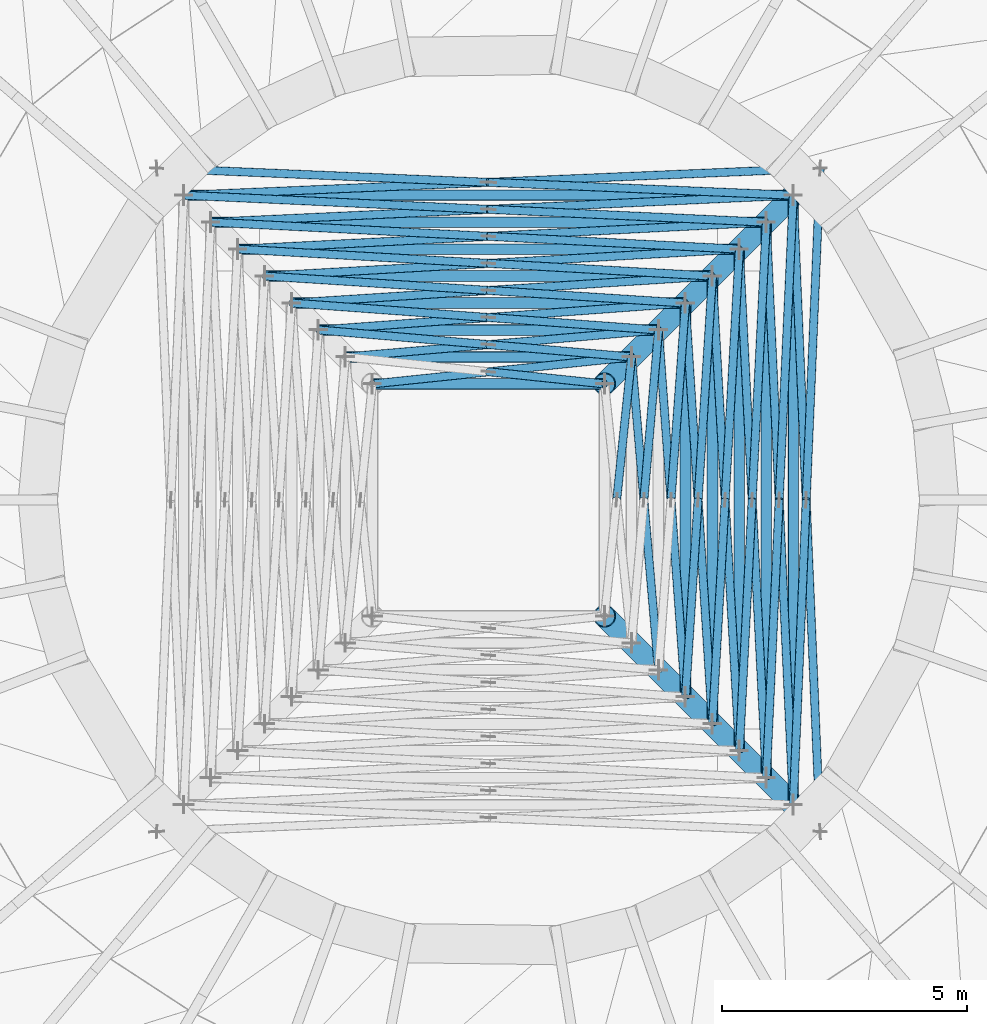
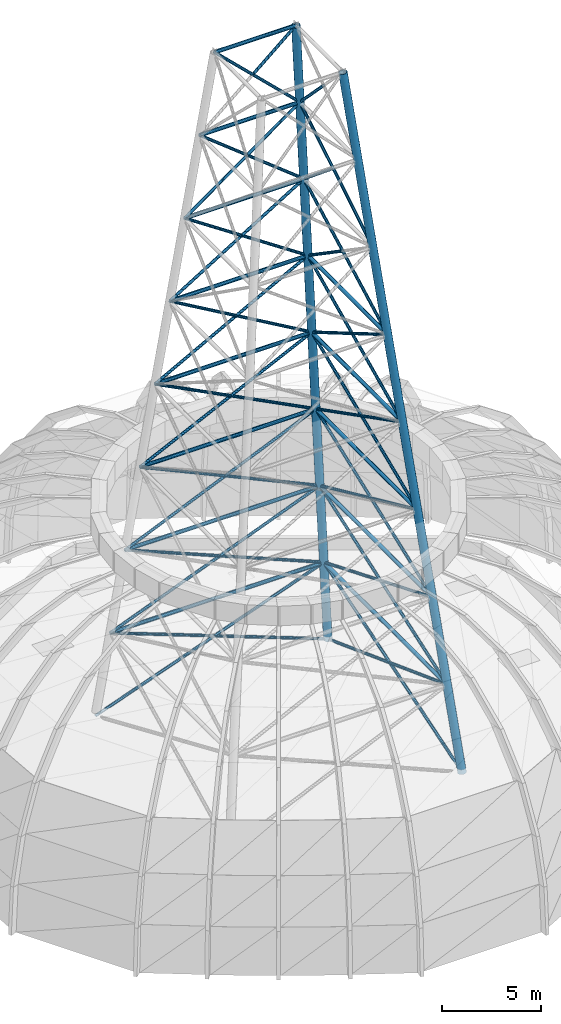
# One storey, part 2 of 27: 58 members.
"""IFC4 building model written with IfcOpenShell, lengths in metres."""

from ifc_helpers import new_model, si_unit, direction, frame, origin, origin_2d, place, context, subcontext, project, spatial, hollow_circle, extrude, material, material_profile, profile_set, type_object, element, save


model = new_model("IFC4")

# Units and contexts
model_context = context("Model", 3, precision=1e-05, world=origin(), true_north=direction((0.0, 1.0)))
body_context = subcontext(model_context, "Body", "Model", "MODEL_VIEW")
ifc_project = project(units=[si_unit("LENGTHUNIT", "METRE"), si_unit("AREAUNIT", "SQUARE_METRE"), si_unit("VOLUMEUNIT", "CUBIC_METRE"), si_unit("PLANEANGLEUNIT", "RADIAN"), si_unit("MASSUNIT", "GRAM", prefix="KILO")], contexts=[model_context])

# Site, building, storey
site_placement = place(None, origin())
site = spatial("IfcSite", under=ifc_project, at=site_placement, CompositionType="ELEMENT")
building_placement = place(site_placement, origin())
building = spatial("IfcBuilding", under=site, at=building_placement, Name="Ayvan Gate Tower", CompositionType="ELEMENT")
storey_placement = place(building_placement, frame((0.0, 0.0, 267.699951171875)))
storey = spatial("IfcBuildingStorey", under=building, at=storey_placement, Name="Roof", CompositionType="ELEMENT", Elevation=267.699951171875)

# Members
ifc_material = material(Name="Steel S460NH", Category="steel")
ifc_material_profile_1 = material_profile(ifc_material, hollow_circle(Radius=0.084228515625, WallThickness=0.008056640625, at=origin_2d()), Name="CHS 168.3x8")
ifc_profile_set_1 = profile_set([ifc_material_profile_1], Name="Steel S460NH")
member_type_1 = type_object("IfcMemberType", Name="Lattice mast brace CHS 168.3x8", PredefinedType="BRACE", material=ifc_profile_set_1)
member_1_placement = place(storey_placement, frame((6.771484375, 6.771484375, 0.0), z_axis=(-0.926454470034, -0.039239136673, 0.37435598714), x_axis=(0.04231615291, -0.999104270436, 0.0)))
element("IfcMember", 1, at=member_1_placement, inside=storey, type_object=member_type_1, Name="MAST-BRACE-1-1A", PredefinedType="BRACE", context=body_context, shape_type="SweptSolid", body=[
    extrude(hollow_circle(Radius=0.084228515625, WallThickness=0.008056640625, at=origin_2d()), origin(), (0.0, 0.0, 1.0), 14.024169921875),
])
member_2_placement = place(storey_placement, frame((-6.771484375, 6.771484375, 0.0), z_axis=(0.926453522401, -0.039224711647, 0.374359844036), x_axis=(0.042300667747, 0.999104926175, 0.0)))
element("IfcMember", 2, at=member_2_placement, inside=storey, type_object=member_type_1, Name="MAST-BRACE-1-1B", PredefinedType="BRACE", context=body_context, shape_type="SweptSolid", body=[
    extrude(hollow_circle(Radius=0.084228515625, WallThickness=0.008056640625, at=origin_2d()), origin(), (0.0, 0.0, 1.0), 7.28857421875),
])
member_3_placement = place(storey_placement, frame((0.01904296875, 6.48388671875, 2.743896484375), z_axis=(0.926455573145, -0.039240521048, 0.374353112043), x_axis=(0.042317592874, 0.999104209446, 0.0)))
element("IfcMember", 3, at=member_3_placement, inside=storey, type_object=member_type_1, Name="MAST-BRACE-1-1C", PredefinedType="BRACE", context=body_context, shape_type="SweptSolid", body=[
    extrude(hollow_circle(Radius=0.084228515625, WallThickness=0.008056640625, at=origin_2d()), origin(), (0.0, 0.0, 1.0), 6.694580078125),
])
member_4_placement = place(storey_placement, frame((6.771484375, -6.771484375, 0.0), z_axis=(-0.039239136673, 0.926454470034, 0.37435598714), x_axis=(-0.999104270436, -0.04231615291, 0.0)))
element("IfcMember", 4, at=member_4_placement, inside=storey, type_object=member_type_1, Name="MAST-BRACE-1-4A", PredefinedType="BRACE", context=body_context, shape_type="SweptSolid", body=[
    extrude(hollow_circle(Radius=0.084228515625, WallThickness=0.008056640625, at=origin_2d()), origin(), (0.0, 0.0, 1.0), 14.024169921875),
])
member_5_placement = place(storey_placement, frame((6.771484375, 6.771484375, 0.0), z_axis=(-0.039224711647, -0.926453522401, 0.374359844036), x_axis=(0.999104926175, -0.042300667747, 0.0)))
element("IfcMember", 5, at=member_5_placement, inside=storey, type_object=member_type_1, Name="MAST-BRACE-1-4B", PredefinedType="BRACE", context=body_context, shape_type="SweptSolid", body=[
    extrude(hollow_circle(Radius=0.084228515625, WallThickness=0.008056640625, at=origin_2d()), origin(), (0.0, 0.0, 1.0), 7.28857421875),
])
member_6_placement = place(storey_placement, frame((6.48388671875, -0.01904296875, 2.743896484375), z_axis=(-0.039240521048, -0.926455573145, 0.374353112043), x_axis=(0.999104209446, -0.042317592874, 0.0)))
element("IfcMember", 6, at=member_6_placement, inside=storey, type_object=member_type_1, Name="MAST-BRACE-1-4C", PredefinedType="BRACE", context=body_context, shape_type="SweptSolid", body=[
    extrude(hollow_circle(Radius=0.084228515625, WallThickness=0.008056640625, at=origin_2d()), origin(), (0.0, 0.0, 1.0), 6.694580078125),
])
member_7_placement = place(storey_placement, frame((6.22119140625, 6.22119140625, 5.25), z_axis=(-0.914003863114, -0.042274859962, 0.403496932365), x_axis=(0.046202992284, -0.998932071516, 0.0)))
element("IfcMember", 7, at=member_7_placement, inside=storey, type_object=member_type_1, Name="MAST-BRACE-2-1A", PredefinedType="BRACE", context=body_context, shape_type="SweptSolid", body=[
    extrude(hollow_circle(Radius=0.084228515625, WallThickness=0.008056640625, at=origin_2d()), origin(), (0.0, 0.0, 1.0), 13.01123046875),
])
member_8_placement = place(storey_placement, frame((-6.22119140625, 6.22119140625, 5.25), z_axis=(0.914007349896, -0.042264573902, 0.403490111563), x_axis=(0.046191598607, 0.998932598436, 0.0)))
element("IfcMember", 8, at=member_8_placement, inside=storey, type_object=member_type_1, Name="MAST-BRACE-2-1B", PredefinedType="BRACE", context=body_context, shape_type="SweptSolid", body=[
    extrude(hollow_circle(Radius=0.084228515625, WallThickness=0.008056640625, at=origin_2d()), origin(), (0.0, 0.0, 1.0), 6.793212890625),
])
member_9_placement = place(storey_placement, frame((0.01220703125, 5.932861328125, 8.001953125), z_axis=(0.914013026326, -0.042271968774, 0.403476478078), x_axis=(0.046199377019, 0.998932238724, 0.0)))
element("IfcMember", 9, at=member_9_placement, inside=storey, type_object=member_type_1, Name="MAST-BRACE-2-1C", PredefinedType="BRACE", context=body_context, shape_type="SweptSolid", body=[
    extrude(hollow_circle(Radius=0.084228515625, WallThickness=0.008056640625, at=origin_2d()), origin(), (0.0, 0.0, 1.0), 6.19140625),
])
member_10_placement = place(storey_placement, frame((6.22119140625, -6.22119140625, 5.25), z_axis=(-0.042274859962, 0.914003863114, 0.403496932365), x_axis=(-0.998932071516, -0.046202992284, 0.0)))
element("IfcMember", 10, at=member_10_placement, inside=storey, type_object=member_type_1, Name="MAST-BRACE-2-4A", PredefinedType="BRACE", context=body_context, shape_type="SweptSolid", body=[
    extrude(hollow_circle(Radius=0.084228515625, WallThickness=0.008056640625, at=origin_2d()), origin(), (0.0, 0.0, 1.0), 13.01123046875),
])
member_11_placement = place(storey_placement, frame((6.22119140625, 6.22119140625, 5.25), z_axis=(-0.042264573902, -0.914007349896, 0.403490111563), x_axis=(0.998932598436, -0.046191598607, 0.0)))
element("IfcMember", 11, at=member_11_placement, inside=storey, type_object=member_type_1, Name="MAST-BRACE-2-4B", PredefinedType="BRACE", context=body_context, shape_type="SweptSolid", body=[
    extrude(hollow_circle(Radius=0.084228515625, WallThickness=0.008056640625, at=origin_2d()), origin(), (0.0, 0.0, 1.0), 6.793212890625),
])
member_12_placement = place(storey_placement, frame((5.932861328125, -0.01220703125, 8.001953125), z_axis=(-0.042271968774, -0.914013026326, 0.403476478078), x_axis=(0.998932238724, -0.046199377019, 0.0)))
element("IfcMember", 12, at=member_12_placement, inside=storey, type_object=member_type_1, Name="MAST-BRACE-2-4C", PredefinedType="BRACE", context=body_context, shape_type="SweptSolid", body=[
    extrude(hollow_circle(Radius=0.084228515625, WallThickness=0.008056640625, at=origin_2d()), origin(), (0.0, 0.0, 1.0), 6.19140625),
])
member_13_placement = place(storey_placement, frame((5.671142578125, 5.671142578125, 10.5), z_axis=(-0.898296440877, -0.045804908554, 0.436995897761), x_axis=(0.050924699696, -0.998702495722, 0.0)))
element("IfcMember", 13, at=member_13_placement, inside=storey, type_object=member_type_1, Name="MAST-BRACE-3-1A", PredefinedType="BRACE", context=body_context, shape_type="SweptSolid", body=[
    extrude(hollow_circle(Radius=0.084228515625, WallThickness=0.008056640625, at=origin_2d()), origin(), (0.0, 0.0, 1.0), 12.013916015625),
])
member_14_placement = place(storey_placement, frame((-5.671142578125, 5.671142578125, 10.5), z_axis=(0.898290421127, -0.04579519794, 0.437009289554), x_axis=(0.050914271984, 0.998703027385, 0.0)))
element("IfcMember", 14, at=member_14_placement, inside=storey, type_object=member_type_1, Name="MAST-BRACE-3-1B", PredefinedType="BRACE", context=body_context, shape_type="SweptSolid", body=[
    extrude(hollow_circle(Radius=0.084228515625, WallThickness=0.008056640625, at=origin_2d()), origin(), (0.0, 0.0, 1.0), 6.306640625),
])
member_15_placement = place(storey_placement, frame((0.005859375, 5.381591796875, 13.26171875), z_axis=(0.898298180913, -0.045791726276, 0.436993702442), x_axis=(0.050909983615, 0.998703245999, 0.0)))
element("IfcMember", 15, at=member_15_placement, inside=storey, type_object=member_type_1, Name="MAST-BRACE-3-1C", PredefinedType="BRACE", context=body_context, shape_type="SweptSolid", body=[
    extrude(hollow_circle(Radius=0.084228515625, WallThickness=0.008056640625, at=origin_2d()), origin(), (0.0, 0.0, 1.0), 5.694091796875),
])
member_16_placement = place(storey_placement, frame((5.671142578125, -5.671142578125, 10.5), z_axis=(-0.045804908554, 0.898296440877, 0.436995897761), x_axis=(-0.998702495722, -0.050924699696, 0.0)))
element("IfcMember", 16, at=member_16_placement, inside=storey, type_object=member_type_1, Name="MAST-BRACE-3-4A", PredefinedType="BRACE", context=body_context, shape_type="SweptSolid", body=[
    extrude(hollow_circle(Radius=0.084228515625, WallThickness=0.008056640625, at=origin_2d()), origin(), (0.0, 0.0, 1.0), 12.013916015625),
])
member_17_placement = place(storey_placement, frame((5.671142578125, 5.671142578125, 10.5), z_axis=(-0.04579519794, -0.898290421127, 0.437009289554), x_axis=(0.998703027385, -0.050914271984, 0.0)))
element("IfcMember", 17, at=member_17_placement, inside=storey, type_object=member_type_1, Name="MAST-BRACE-3-4B", PredefinedType="BRACE", context=body_context, shape_type="SweptSolid", body=[
    extrude(hollow_circle(Radius=0.084228515625, WallThickness=0.008056640625, at=origin_2d()), origin(), (0.0, 0.0, 1.0), 6.306640625),
])
member_18_placement = place(storey_placement, frame((5.381591796875, -0.005859375, 13.26171875), z_axis=(-0.045791726276, -0.898298180913, 0.436993702442), x_axis=(0.998703245999, -0.050909983615, 0.0)))
element("IfcMember", 18, at=member_18_placement, inside=storey, type_object=member_type_1, Name="MAST-BRACE-3-4C", PredefinedType="BRACE", context=body_context, shape_type="SweptSolid", body=[
    extrude(hollow_circle(Radius=0.084228515625, WallThickness=0.008056640625, at=origin_2d()), origin(), (0.0, 0.0, 1.0), 5.694091796875),
])
member_19_placement = place(storey_placement, frame((5.120849609375, 5.120849609375, 15.75), z_axis=(-0.878185624988, -0.049841353581, 0.475716141767), x_axis=(0.056663731518, -0.998393320055, 0.0)))
element("IfcMember", 19, at=member_19_placement, inside=storey, type_object=member_type_1, Name="MAST-BRACE-4-1A", PredefinedType="BRACE", context=body_context, shape_type="SweptSolid", body=[
    extrude(hollow_circle(Radius=0.084228515625, WallThickness=0.008056640625, at=origin_2d()), origin(), (0.0, 0.0, 1.0), 11.035888671875),
])
member_20_placement = place(storey_placement, frame((-5.120849609375, 5.120849609375, 15.75), z_axis=(0.878180845126, -0.049825269653, 0.475726650249), x_axis=(0.056645812002, 0.998394336914, 0.0)))
element("IfcMember", 20, at=member_20_placement, inside=storey, type_object=member_type_1, Name="MAST-BRACE-4-1B", PredefinedType="BRACE", context=body_context, shape_type="SweptSolid", body=[
    extrude(hollow_circle(Radius=0.084228515625, WallThickness=0.008056640625, at=origin_2d()), origin(), (0.0, 0.0, 1.0), 5.830810546875),
])
member_21_placement = place(storey_placement, frame((0.000244140625, 4.830322265625, 18.524169921875), z_axis=(0.87818911207, -0.049864591963, 0.475707269137), x_axis=(0.056689841548, 0.99839183784, 0.0)))
element("IfcMember", 21, at=member_21_placement, inside=storey, type_object=member_type_1, Name="MAST-BRACE-4-1C", PredefinedType="BRACE", context=body_context, shape_type="SweptSolid", body=[
    extrude(hollow_circle(Radius=0.084228515625, WallThickness=0.008056640625, at=origin_2d()), origin(), (0.0, 0.0, 1.0), 5.20458984375),
])
member_22_placement = place(storey_placement, frame((5.120849609375, -5.120849609375, 15.75), z_axis=(-0.049841353581, 0.878185624988, 0.475716141767), x_axis=(-0.998393320055, -0.056663731518, 0.0)))
element("IfcMember", 22, at=member_22_placement, inside=storey, type_object=member_type_1, Name="MAST-BRACE-4-4A", PredefinedType="BRACE", context=body_context, shape_type="SweptSolid", body=[
    extrude(hollow_circle(Radius=0.084228515625, WallThickness=0.008056640625, at=origin_2d()), origin(), (0.0, 0.0, 1.0), 11.035888671875),
])
member_23_placement = place(storey_placement, frame((5.120849609375, 5.120849609375, 15.75), z_axis=(-0.049825269653, -0.878180845126, 0.475726650249), x_axis=(0.998394336914, -0.056645812002, 0.0)))
element("IfcMember", 23, at=member_23_placement, inside=storey, type_object=member_type_1, Name="MAST-BRACE-4-4B", PredefinedType="BRACE", context=body_context, shape_type="SweptSolid", body=[
    extrude(hollow_circle(Radius=0.084228515625, WallThickness=0.008056640625, at=origin_2d()), origin(), (0.0, 0.0, 1.0), 5.830810546875),
])
member_24_placement = place(storey_placement, frame((4.830322265625, -0.000244140625, 18.524169921875), z_axis=(-0.049864591963, -0.87818911207, 0.475707269137), x_axis=(0.99839183784, -0.056689841548, 0.0)))
element("IfcMember", 24, at=member_24_placement, inside=storey, type_object=member_type_1, Name="MAST-BRACE-4-4C", PredefinedType="BRACE", context=body_context, shape_type="SweptSolid", body=[
    extrude(hollow_circle(Radius=0.084228515625, WallThickness=0.008056640625, at=origin_2d()), origin(), (0.0, 0.0, 1.0), 5.20458984375),
])
member_25_placement = place(storey_placement, frame((4.57080078125, 4.57080078125, 21.0), z_axis=(-0.85202099009, -0.054573893483, 0.520655281924), x_axis=(0.063921296988, -0.997954942766, 0.0)))
element("IfcMember", 25, at=member_25_placement, inside=storey, type_object=member_type_1, Name="MAST-BRACE-5-1A", PredefinedType="BRACE", context=body_context, shape_type="SweptSolid", body=[
    extrude(hollow_circle(Radius=0.084228515625, WallThickness=0.008056640625, at=origin_2d()), origin(), (0.0, 0.0, 1.0), 10.08349609375),
])
member_26_placement = place(storey_placement, frame((-4.57080078125, 4.57080078125, 21.0), z_axis=(0.852015131193, -0.05456501134, 0.520665800448), x_axis=(0.0639113737, 0.997955578326, 0.0)))
element("IfcMember", 26, at=member_26_placement, inside=storey, type_object=member_type_1, Name="MAST-BRACE-5-1B", PredefinedType="BRACE", context=body_context, shape_type="SweptSolid", body=[
    extrude(hollow_circle(Radius=0.084228515625, WallThickness=0.008056640625, at=origin_2d()), origin(), (0.0, 0.0, 1.0), 5.36474609375),
])
member_27_placement = place(storey_placement, frame((0.0, 4.278076171875, 23.793212890625), z_axis=(0.85202765077, -0.054583991472, 0.520643323397), x_axis=(0.063932578468, 0.997954220098, 0.0)))
element("IfcMember", 27, at=member_27_placement, inside=storey, type_object=member_type_1, Name="MAST-BRACE-5-1C", PredefinedType="BRACE", context=body_context, shape_type="SweptSolid", body=[
    extrude(hollow_circle(Radius=0.084228515625, WallThickness=0.008056640625, at=origin_2d()), origin(), (0.0, 0.0, 1.0), 4.71875),
])
member_28_placement = place(storey_placement, frame((4.57080078125, -4.57080078125, 21.0), z_axis=(-0.054573893483, 0.85202099009, 0.520655281924), x_axis=(-0.997954942766, -0.063921296988, 0.0)))
element("IfcMember", 28, at=member_28_placement, inside=storey, type_object=member_type_1, Name="MAST-BRACE-5-4A", PredefinedType="BRACE", context=body_context, shape_type="SweptSolid", body=[
    extrude(hollow_circle(Radius=0.084228515625, WallThickness=0.008056640625, at=origin_2d()), origin(), (0.0, 0.0, 1.0), 10.08349609375),
])
member_29_placement = place(storey_placement, frame((4.57080078125, 4.57080078125, 21.0), z_axis=(-0.05456501134, -0.852015131193, 0.520665800448), x_axis=(0.997955578326, -0.0639113737, 0.0)))
element("IfcMember", 29, at=member_29_placement, inside=storey, type_object=member_type_1, Name="MAST-BRACE-5-4B", PredefinedType="BRACE", context=body_context, shape_type="SweptSolid", body=[
    extrude(hollow_circle(Radius=0.084228515625, WallThickness=0.008056640625, at=origin_2d()), origin(), (0.0, 0.0, 1.0), 5.36474609375),
])
member_30_placement = place(storey_placement, frame((4.278076171875, 0.0, 23.793212890625), z_axis=(-0.054583991472, -0.85202765077, 0.520643323397), x_axis=(0.997954220098, -0.063932578468, 0.0)))
element("IfcMember", 30, at=member_30_placement, inside=storey, type_object=member_type_1, Name="MAST-BRACE-5-4C", PredefinedType="BRACE", context=body_context, shape_type="SweptSolid", body=[
    extrude(hollow_circle(Radius=0.084228515625, WallThickness=0.008056640625, at=origin_2d()), origin(), (0.0, 0.0, 1.0), 4.71875),
])
member_31_placement = place(storey_placement, frame((4.0205078125, 4.0205078125, 26.25), z_axis=(-0.817430569233, -0.060022522976, 0.572891404386), x_axis=(0.073231127556, -0.997314996356, 0.0)))
element("IfcMember", 31, at=member_31_placement, inside=storey, type_object=member_type_1, Name="MAST-BRACE-6-1A", PredefinedType="BRACE", context=body_context, shape_type="SweptSolid", body=[
    extrude(hollow_circle(Radius=0.084228515625, WallThickness=0.008056640625, at=origin_2d()), origin(), (0.0, 0.0, 1.0), 9.1640625),
])
member_32_placement = place(storey_placement, frame((-4.0205078125, 4.0205078125, 26.25), z_axis=(0.817419495787, -0.060010940637, 0.57290841756), x_axis=(0.0732180587, 0.997315955894, 0.0)))
element("IfcMember", 32, at=member_32_placement, inside=storey, type_object=member_type_1, Name="MAST-BRACE-6-1B", PredefinedType="BRACE", context=body_context, shape_type="SweptSolid", body=[
    extrude(hollow_circle(Radius=0.084228515625, WallThickness=0.008056640625, at=origin_2d()), origin(), (0.0, 0.0, 1.0), 4.91845703125),
])
member_33_placement = place(storey_placement, frame((0.0, 3.725341796875, 29.06787109375), z_axis=(0.817443397576, -0.060035941405, 0.57287169375), x_axis=(0.073246267706, 0.997313884525, 0.0)))
element("IfcMember", 33, at=member_33_placement, inside=storey, type_object=member_type_1, Name="MAST-BRACE-6-1C", PredefinedType="BRACE", context=body_context, shape_type="SweptSolid", body=[
    extrude(hollow_circle(Radius=0.084228515625, WallThickness=0.008056640625, at=origin_2d()), origin(), (0.0, 0.0, 1.0), 4.24560546875),
])
member_34_placement = place(storey_placement, frame((4.0205078125, -4.0205078125, 26.25), z_axis=(-0.060022522976, 0.817430569233, 0.572891404386), x_axis=(-0.997314996356, -0.073231127556, 0.0)))
element("IfcMember", 34, at=member_34_placement, inside=storey, type_object=member_type_1, Name="MAST-BRACE-6-4A", PredefinedType="BRACE", context=body_context, shape_type="SweptSolid", body=[
    extrude(hollow_circle(Radius=0.084228515625, WallThickness=0.008056640625, at=origin_2d()), origin(), (0.0, 0.0, 1.0), 9.1640625),
])
member_35_placement = place(storey_placement, frame((4.0205078125, 4.0205078125, 26.25), z_axis=(-0.060010940637, -0.817419495787, 0.57290841756), x_axis=(0.997315955894, -0.0732180587, 0.0)))
element("IfcMember", 35, at=member_35_placement, inside=storey, type_object=member_type_1, Name="MAST-BRACE-6-4B", PredefinedType="BRACE", context=body_context, shape_type="SweptSolid", body=[
    extrude(hollow_circle(Radius=0.084228515625, WallThickness=0.008056640625, at=origin_2d()), origin(), (0.0, 0.0, 1.0), 4.91845703125),
])
member_36_placement = place(storey_placement, frame((3.470458984375, 3.470458984375, 31.5), z_axis=(-0.770988438314, -0.066389362009, 0.633379254948), x_axis=(0.08579193428, -0.996313075299, 0.0)))
element("IfcMember", 36, at=member_36_placement, inside=storey, type_object=member_type_1, Name="MAST-BRACE-7-1A", PredefinedType="BRACE", context=body_context, shape_type="SweptSolid", body=[
    extrude(hollow_circle(Radius=0.084228515625, WallThickness=0.008056640625, at=origin_2d()), origin(), (0.0, 0.0, 1.0), 8.288818359375),
])
member_37_placement = place(storey_placement, frame((-3.470458984375, 3.470458984375, 31.5), z_axis=(0.770984549141, -0.06638656969, 0.633384281736), x_axis=(0.085788782019, 0.996313346734, 0.0)))
element("IfcMember", 37, at=member_37_placement, inside=storey, type_object=member_type_1, Name="MAST-BRACE-7-1B", PredefinedType="BRACE", context=body_context, shape_type="SweptSolid", body=[
    extrude(hollow_circle(Radius=0.084228515625, WallThickness=0.008056640625, at=origin_2d()), origin(), (0.0, 0.0, 1.0), 4.501220703125),
])
member_38_placement = place(storey_placement, frame((0.0, 3.171630859375, 34.35107421875), z_axis=(0.770993060388, -0.066392680562, 0.633373280777), x_axis=(0.085795680569, 0.996312752702, 0.0)))
element("IfcMember", 38, at=member_38_placement, inside=storey, type_object=member_type_1, Name="MAST-BRACE-7-1C", PredefinedType="BRACE", context=body_context, shape_type="SweptSolid", body=[
    extrude(hollow_circle(Radius=0.084228515625, WallThickness=0.008056640625, at=origin_2d()), origin(), (0.0, 0.0, 1.0), 3.78759765625),
])
member_39_placement = place(storey_placement, frame((3.470458984375, -3.470458984375, 31.5), z_axis=(-0.066389362009, 0.770988438314, 0.633379254948), x_axis=(-0.996313075299, -0.08579193428, 0.0)))
element("IfcMember", 39, at=member_39_placement, inside=storey, type_object=member_type_1, Name="MAST-BRACE-7-4A", PredefinedType="BRACE", context=body_context, shape_type="SweptSolid", body=[
    extrude(hollow_circle(Radius=0.084228515625, WallThickness=0.008056640625, at=origin_2d()), origin(), (0.0, 0.0, 1.0), 8.288818359375),
])
member_40_placement = place(storey_placement, frame((3.470458984375, 3.470458984375, 31.5), z_axis=(-0.06638656969, -0.770984549141, 0.633384281736), x_axis=(0.996313346734, -0.085788782019, 0.0)))
element("IfcMember", 40, at=member_40_placement, inside=storey, type_object=member_type_1, Name="MAST-BRACE-7-4B", PredefinedType="BRACE", context=body_context, shape_type="SweptSolid", body=[
    extrude(hollow_circle(Radius=0.084228515625, WallThickness=0.008056640625, at=origin_2d()), origin(), (0.0, 0.0, 1.0), 4.501220703125),
])
member_41_placement = place(storey_placement, frame((2.920166015625, 2.920166015625, 36.75), z_axis=(-0.707878909913, -0.073600589969, 0.702488720235), x_axis=(0.103415933355, -0.994638197903, 0.0)))
element("IfcMember", 41, at=member_41_placement, inside=storey, type_object=member_type_1, Name="MAST-BRACE-8-1A", PredefinedType="BRACE", context=body_context, shape_type="SweptSolid", body=[
    extrude(hollow_circle(Radius=0.084228515625, WallThickness=0.008056640625, at=origin_2d()), origin(), (0.0, 0.0, 1.0), 7.473388671875),
])
member_42_placement = place(storey_placement, frame((0.0, 2.616455078125, 39.64794921875), z_axis=(0.707883151572, -0.073573763899, 0.702487256102), x_axis=(0.103378030216, 0.994642138092, 0.0)))
element("IfcMember", 42, at=member_42_placement, inside=storey, type_object=member_type_1, Name="MAST-BRACE-8-1C", PredefinedType="BRACE", context=body_context, shape_type="SweptSolid", body=[
    extrude(hollow_circle(Radius=0.084228515625, WallThickness=0.008056640625, at=origin_2d()), origin(), (0.0, 0.0, 1.0), 3.34814453125),
])
member_43_placement = place(storey_placement, frame((2.920166015625, 2.920166015625, 36.75), z_axis=(-0.073622362745, -0.707875466874, 0.702489908185), x_axis=(0.994634998858, -0.103446696646, 0.0)))
element("IfcMember", 43, at=member_43_placement, inside=storey, type_object=member_type_1, Name="MAST-BRACE-8-4B", PredefinedType="BRACE", context=body_context, shape_type="SweptSolid", body=[
    extrude(hollow_circle(Radius=0.084228515625, WallThickness=0.008056640625, at=origin_2d()), origin(), (0.0, 0.0, 1.0), 4.125244140625),
])
ifc_material_profile_2 = material_profile(ifc_material, hollow_circle(Radius=0.228515625, WallThickness=0.02001953125, at=origin_2d()), Name="CHS 457x20")
ifc_profile_set_2 = profile_set([ifc_material_profile_2], Name="Steel S460NH")
member_type_2 = type_object("IfcMemberType", Name="Lattice mast leg CHS 457x20", PredefinedType="POST", material=ifc_profile_set_2)
for number, where, z_axis, x_axis, name in (
    (44, (6.771484375, 6.771484375, 0.0), (-0.103662234018, -0.103662234018, 0.989195775606), (0.707106781187, -0.707106781187, 0.0), "MAST-LEG-1"),
    (45, (6.771484375, -6.771484375, 0.0), (-0.103662234018, 0.103662234018, 0.989195775606), (-0.707106781187, -0.707106781187, 0.0), "MAST-LEG-4"),
):
    element("IfcMember", number, at=place(storey_placement, frame(where, z_axis=z_axis, x_axis=x_axis)), inside=storey, type_object=member_type_2, Name=name, PredefinedType="POST", context=body_context, shape_type="SweptSolid", body=[
        extrude(hollow_circle(Radius=0.228515625, WallThickness=0.02001953125, at=origin_2d()), origin(), (0.0, 0.0, 1.0), 42.458740234375),
    ])
ifc_material_profile_3 = material_profile(ifc_material, hollow_circle(Radius=0.109619140625, WallThickness=0.010009765625, at=origin_2d()), Name="CHS 219.1x10")
ifc_profile_set_3 = profile_set([ifc_material_profile_3], Name="Steel S460NH")
member_type_3 = type_object("IfcMemberType", Name="Lattice mast ring CHS 219.1x10", PredefinedType="STRUT", material=ifc_profile_set_3)
for number, where, z_axis, x_axis, name in (
    (46, (6.22119140625, 6.22119140625, 5.25), (-1.0, 0.0, 0.0), (0.0, -1.0, 0.0), "MAST-RING-1-1"),
    (47, (6.22119140625, -6.22119140625, 5.25), (0.0, 1.0, 0.0), (-1.0, 0.0, 0.0), "MAST-RING-1-4"),
):
    element("IfcMember", number, at=place(storey_placement, frame(where, z_axis=z_axis, x_axis=x_axis)), inside=storey, type_object=member_type_3, Name=name, PredefinedType="STRUT", context=body_context, shape_type="SweptSolid", body=[
        extrude(hollow_circle(Radius=0.109619140625, WallThickness=0.010009765625, at=origin_2d()), origin(), (0.0, 0.0, 1.0), 12.4423828125),
    ])
for number, where, z_axis, x_axis, name in (
    (48, (5.671142578125, 5.671142578125, 10.5), (-1.0, 0.0, 0.0), (0.0, -1.0, 0.0), "MAST-RING-2-1"),
    (49, (5.671142578125, -5.671142578125, 10.5), (0.0, 1.0, 0.0), (-1.0, 0.0, 0.0), "MAST-RING-2-4"),
):
    element("IfcMember", number, at=place(storey_placement, frame(where, z_axis=z_axis, x_axis=x_axis)), inside=storey, type_object=member_type_3, Name=name, PredefinedType="STRUT", context=body_context, shape_type="SweptSolid", body=[
        extrude(hollow_circle(Radius=0.109619140625, WallThickness=0.010009765625, at=origin_2d()), origin(), (0.0, 0.0, 1.0), 11.34228515625),
    ])
for number, where, z_axis, x_axis, name in (
    (50, (5.120849609375, 5.120849609375, 15.75), (-1.0, 0.0, 0.0), (0.0, -1.0, 0.0), "MAST-RING-3-1"),
    (51, (5.120849609375, -5.120849609375, 15.75), (0.0, 1.0, 0.0), (-1.0, 0.0, 0.0), "MAST-RING-3-4"),
):
    element("IfcMember", number, at=place(storey_placement, frame(where, z_axis=z_axis, x_axis=x_axis)), inside=storey, type_object=member_type_3, Name=name, PredefinedType="STRUT", context=body_context, shape_type="SweptSolid", body=[
        extrude(hollow_circle(Radius=0.109619140625, WallThickness=0.010009765625, at=origin_2d()), origin(), (0.0, 0.0, 1.0), 10.24169921875),
    ])
for number, where, z_axis, x_axis, name in (
    (52, (4.57080078125, 4.57080078125, 21.0), (-1.0, 0.0, 0.0), (0.0, -1.0, 0.0), "MAST-RING-4-1"),
    (53, (4.57080078125, -4.57080078125, 21.0), (0.0, 1.0, 0.0), (-1.0, 0.0, 0.0), "MAST-RING-4-4"),
):
    element("IfcMember", number, at=place(storey_placement, frame(where, z_axis=z_axis, x_axis=x_axis)), inside=storey, type_object=member_type_3, Name=name, PredefinedType="STRUT", context=body_context, shape_type="SweptSolid", body=[
        extrude(hollow_circle(Radius=0.109619140625, WallThickness=0.010009765625, at=origin_2d()), origin(), (0.0, 0.0, 1.0), 9.1416015625),
    ])
for number, where, z_axis, x_axis, name in (
    (54, (4.0205078125, 4.0205078125, 26.25), (-1.0, 0.0, 0.0), (0.0, -1.0, 0.0), "MAST-RING-5-1"),
    (55, (4.0205078125, -4.0205078125, 26.25), (0.0, 1.0, 0.0), (-1.0, 0.0, 0.0), "MAST-RING-5-4"),
):
    element("IfcMember", number, at=place(storey_placement, frame(where, z_axis=z_axis, x_axis=x_axis)), inside=storey, type_object=member_type_3, Name=name, PredefinedType="STRUT", context=body_context, shape_type="SweptSolid", body=[
        extrude(hollow_circle(Radius=0.109619140625, WallThickness=0.010009765625, at=origin_2d()), origin(), (0.0, 0.0, 1.0), 8.041015625),
    ])
member_44_placement = place(storey_placement, frame((3.470458984375, 3.470458984375, 31.5), z_axis=(-1.0, 0.0, 0.0), x_axis=(0.0, -1.0, 0.0)))
element("IfcMember", 56, at=member_44_placement, inside=storey, type_object=member_type_3, Name="MAST-RING-6-1", PredefinedType="STRUT", context=body_context, shape_type="SweptSolid", body=[
    extrude(hollow_circle(Radius=0.109619140625, WallThickness=0.010009765625, at=origin_2d()), origin(), (0.0, 0.0, 1.0), 6.94091796875),
])
member_45_placement = place(storey_placement, frame((2.920166015625, 2.920166015625, 36.75), z_axis=(-1.0, 0.0, 0.0), x_axis=(0.0, -1.0, 0.0)))
element("IfcMember", 57, at=member_45_placement, inside=storey, type_object=member_type_3, Name="MAST-RING-7-1", PredefinedType="STRUT", context=body_context, shape_type="SweptSolid", body=[
    extrude(hollow_circle(Radius=0.109619140625, WallThickness=0.010009765625, at=origin_2d()), origin(), (0.0, 0.0, 1.0), 5.84033203125),
])
member_46_placement = place(storey_placement, frame((2.3701171875, 2.3701171875, 42.0), z_axis=(-1.0, 0.0, 0.0), x_axis=(0.0, -1.0, 0.0)))
element("IfcMember", 58, at=member_46_placement, inside=storey, type_object=member_type_3, Name="MAST-RING-8-1", PredefinedType="STRUT", context=body_context, shape_type="SweptSolid", body=[
    extrude(hollow_circle(Radius=0.109619140625, WallThickness=0.010009765625, at=origin_2d()), origin(), (0.0, 0.0, 1.0), 4.740234375),
])

save(model, "model.ifc")
